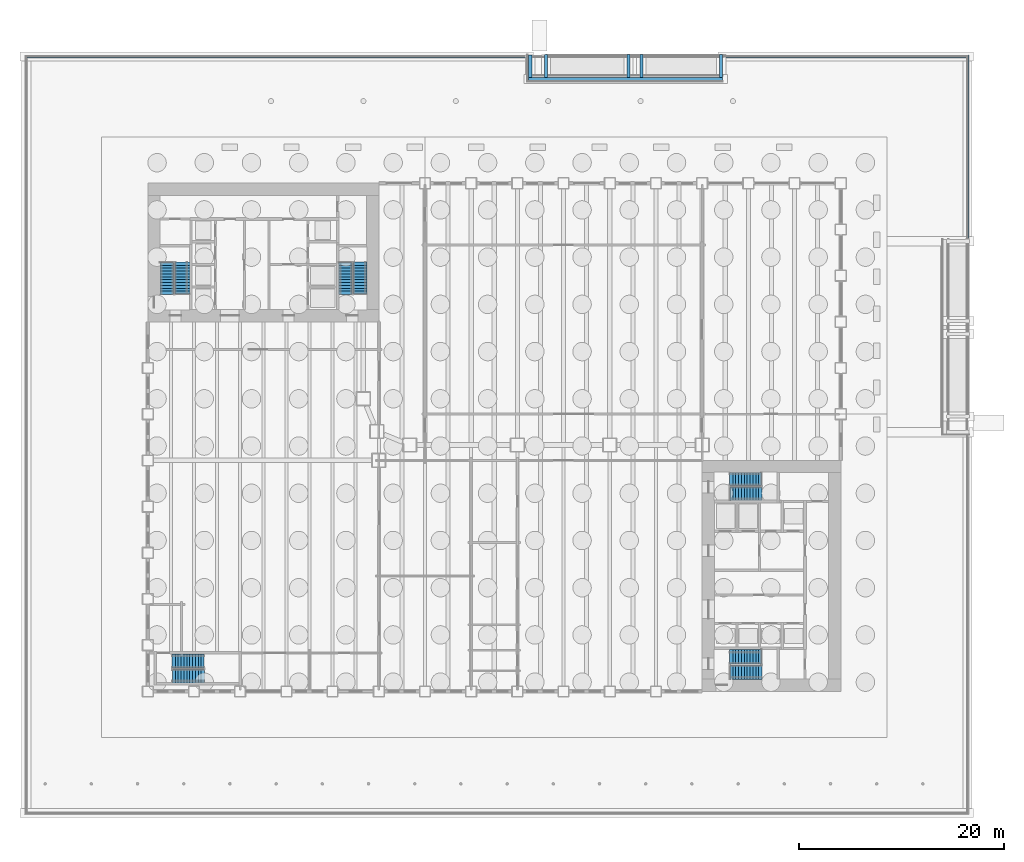
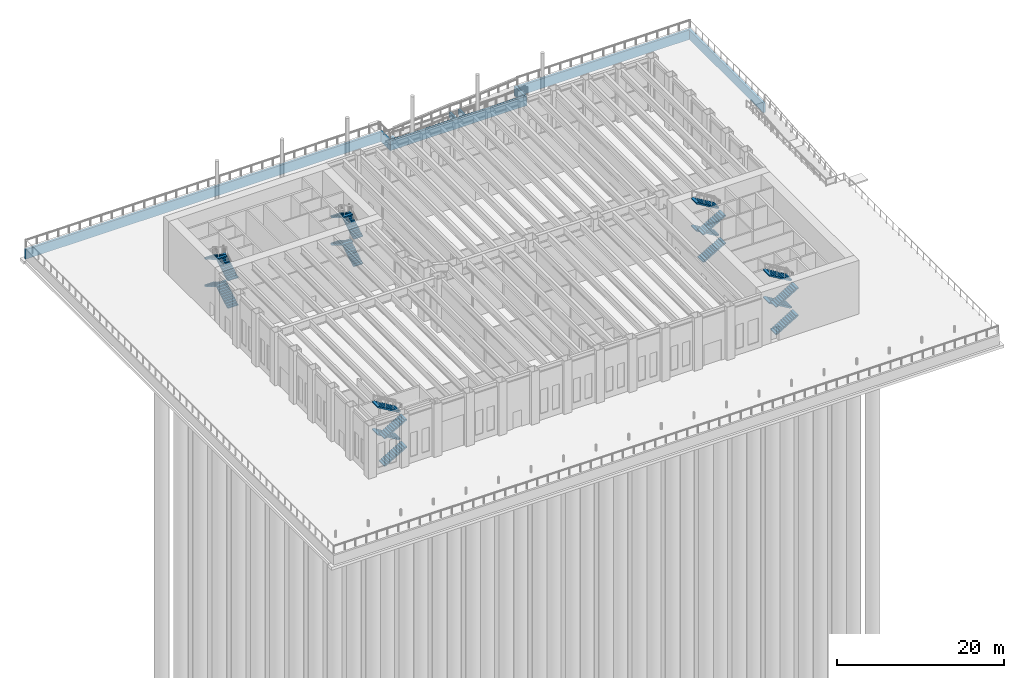
# One storey, part 15 of 26: 20 stair flights, 9 walls, 5 elements without a shape of their own.
"""IFC4 building model written with IfcOpenShell, lengths in metres."""

from ifc_helpers import new_model, si_unit, direction, frame, frame_2d, origin, place, context, subcontext, project, spatial, polyline, rectangle, outline, extrude, material, layer, layer_set, type_object, element, aggregate, save


model = new_model("IFC4")

# Units and contexts
model_context = context("Model", 3, precision=1e-05, world=origin(), true_north=direction((0.0, 1.0)))
body_context = subcontext(model_context, "Body", "Model", "MODEL_VIEW")
ifc_project = project(units=[si_unit("LENGTHUNIT", "METRE"), si_unit("AREAUNIT", "SQUARE_METRE"), si_unit("VOLUMEUNIT", "CUBIC_METRE"), si_unit("PLANEANGLEUNIT", "RADIAN"), si_unit("MASSUNIT", "GRAM", prefix="KILO")], contexts=[model_context])

# Site, building, storey
site_placement = place(None, origin())
site = spatial("IfcSite", under=ifc_project, at=site_placement, CompositionType="ELEMENT")
building_placement = place(site_placement, origin())
building = spatial("IfcBuilding", under=site, at=building_placement, Name="Sennacour Bend Tower", CompositionType="ELEMENT")
storey_placement = place(building_placement, origin())
storey = spatial("IfcBuildingStorey", under=building, at=storey_placement, Name="L00", CompositionType="ELEMENT", Elevation=0.0)

# Walls
ifc_material = material(Name="Concrete C40/50", Category="concrete")
ifc_layer = layer(ifc_material, 0.300048828125, Name="Concrete C40/50", Category="concrete")
ifc_layer_set = layer_set([ifc_layer], Name="Concrete C40/50")
wall_type = type_object("IfcWallType", Name="PLAZA RETAINING WALL 300", PredefinedType="STANDARD", material=ifc_layer_set)
wall_1_placement = place(storey_placement, frame((79.85009765625, 44.0, -1.60009765625), z_axis=(0.0, 0.0, 1.0), x_axis=(0.0, 1.0, 0.0)))
element("IfcWall", 1, at=wall_1_placement, inside=storey, type_object=wall_type, Name="Plaza retaining wall east", PredefinedType="STANDARD", context=body_context, shape_type="SweptSolid", body=[
    extrude(rectangle(XDim=18.0, YDim=0.300048828125, at=frame_2d((9.0, 0.0))), origin(), (0.0, 0.0, 1.0), 1.400146484375),
])
wall_2_placement = place(storey_placement, frame((-12.0, 61.85009765625, -1.60009765625), z_axis=(0.0, 0.0, 1.0), x_axis=(1.0, 0.0, 0.0)))
element("IfcWall", 2, at=wall_2_placement, inside=storey, type_object=wall_type, Name="Plaza retaining wall north", PredefinedType="STANDARD", context=body_context, shape_type="SweptSolid", body=[
    extrude(rectangle(XDim=49.10009765625, YDim=0.300048828125, at=frame_2d((24.550048828125, 0.0))), origin(), (0.0, 0.0, 1.0), 1.400146484375),
])
wall_3_placement = place(storey_placement, frame((56.0, 61.85009765625, -1.60009765625), z_axis=(0.0, 0.0, 1.0), x_axis=(1.0, 0.0, 0.0)))
element("IfcWall", 3, at=wall_3_placement, inside=storey, type_object=wall_type, Name="Plaza retaining wall north", PredefinedType="STANDARD", context=body_context, shape_type="SweptSolid", body=[
    extrude(rectangle(XDim=24.0, YDim=0.300048828125, at=frame_2d((12.0, 0.0))), origin(), (0.0, 0.0, 1.0), 1.400146484375),
])
wall_4_placement = place(storey_placement, frame((56.0, 59.64990234375, -1.60009765625), z_axis=(0.0, 0.0, 1.0), x_axis=(-1.0, 0.0, 0.0)))
element("IfcWall", 4, at=wall_4_placement, inside=storey, type_object=wall_type, Name="Plaza retaining wall North ramp", PredefinedType="STANDARD", context=body_context, shape_type="SweptSolid", body=[
    extrude(rectangle(XDim=18.89990234375, YDim=0.300048828125, at=frame_2d((9.449951171875, 0.0))), origin(), (0.0, 0.0, 1.0), 1.400146484375),
])
wall_5_placement = place(storey_placement, frame((37.25, 59.800048828125, -1.60009765625), z_axis=(0.0, 0.0, 1.0), x_axis=(0.0, 1.0, 0.0)))
element("IfcWall", 5, at=wall_5_placement, inside=storey, type_object=wall_type, Name="Plaza retaining wall North ramp foot", PredefinedType="STANDARD", context=body_context, shape_type="SweptSolid", body=[
    extrude(rectangle(XDim=2.199951171875, YDim=0.300048828125, at=frame_2d((1.10009765625, 0.0))), origin(), (0.0, 0.0, 1.0), 1.400146484375),
])
wall_6_placement = place(storey_placement, frame((55.85009765625, 59.800048828125, -1.60009765625), z_axis=(0.0, 0.0, 1.0), x_axis=(0.0, 1.0, 0.0)))
element("IfcWall", 6, at=wall_6_placement, inside=storey, type_object=wall_type, Name="Ramp bearing wall 1 North", PredefinedType="STANDARD", context=body_context, shape_type="SweptSolid", body=[
    extrude(rectangle(XDim=2.25, YDim=0.300048828125, at=frame_2d((1.125, 0.0))), origin(), (0.0, 0.0, 1.0), 1.400146484375),
])
for number, where, z_axis, x_axis, name in (
    (7, (48.074951171875, 59.800048828125, -1.60009765625), (0.0, 0.0, 1.0), (0.0, 1.0, 0.0), "Ramp bearing wall 2 North"),
    (8, (46.824951171875, 59.800048828125, -1.60009765625), (0.0, 0.0, 1.0), (0.0, 1.0, 0.0), "Ramp bearing wall 3 North"),
):
    element("IfcWall", number, at=place(storey_placement, frame(where, z_axis=z_axis, x_axis=x_axis)), inside=storey, type_object=wall_type, Name=name, PredefinedType="STANDARD", context=body_context, shape_type="SweptSolid", body=[
        extrude(rectangle(XDim=2.25, YDim=0.300048828125, at=frame_2d((1.125, 0.0))), origin(), (0.0, 0.0, 1.0), 0.75),
    ])
wall_7_placement = place(storey_placement, frame((38.77490234375, 59.800048828125, -1.89990234375), z_axis=(0.0, 0.0, 1.0), x_axis=(0.0, 1.0, 0.0)))
element("IfcWall", 9, at=wall_7_placement, inside=storey, type_object=wall_type, Name="Ramp bearing wall 4 North", PredefinedType="STANDARD", context=body_context, shape_type="SweptSolid", body=[
    extrude(rectangle(XDim=2.25, YDim=0.300048828125, at=frame_2d((1.125, 0.0))), origin(), (0.0, 0.0, 1.0), 0.39990234375),
])

# Stair, stair flights
stair_type = type_object("IfcStairType", Name="ST-DOGLEG", PredefinedType="HALF_TURN_STAIR", material=ifc_material)
stair_1_placement = place(storey_placement, origin())
stair_1 = element("IfcStair", 10, at=stair_1_placement, inside=storey, type_object=stair_type, Name="L00 Exit stair A1", PredefinedType="HALF_TURN_STAIR")
stair_flight_type = type_object("IfcStairFlightType", Name="SFL-RC", PredefinedType="STRAIGHT", material=ifc_material)
stair_flight_1_placement = place(storey_placement, frame((56.699951171875, 1.8349609375, 0.0), z_axis=(0.0, 0.0, 1.0), x_axis=(1.0, 0.0, 0.0)))
stair_flight_1 = element("IfcStairFlight", 11, at=stair_flight_1_placement, type_object=stair_flight_type, Name="SA1 flight 1", NumberOfRisers=12, NumberOfTreads=11, PredefinedType="STRAIGHT", RiserHeight=0.166666667, TreadLength=0.28, context=body_context, shape_type="SweptSolid", body=[
    extrude(outline(polyline([(0.0, 0.0), (0.0, 0.166748046875), (0.280029296875, 0.166748046875), (0.280029296875, 0.333251953125), (0.56005859375, 0.333251953125), (0.56005859375, 0.5), (0.840087890625, 0.5), (0.840087890625, 0.666748046875), (1.1201171875, 0.666748046875), (1.1201171875, 0.833251953125), (1.39990234375, 0.833251953125), (1.39990234375, 1.0), (1.679931640625, 1.0), (1.679931640625, 1.166748046875), (1.9599609375, 1.166748046875), (1.9599609375, 1.333251953125), (2.239990234375, 1.333251953125), (2.239990234375, 1.5), (2.52001953125, 1.5), (2.52001953125, 1.666748046875), (2.800048828125, 1.666748046875), (2.800048828125, 1.833251953125), (3.080078125, 1.833251953125), (3.139892578125, 1.833251953125), (3.139892578125, 1.658935546875), (3.080078125, 1.658935546875), (0.29296875, 0.0), (0.0, 0.0)])), frame((0.0, 0.6650390625, 0.0), z_axis=(0.0, -1.0, 0.0), x_axis=(1.0, 0.0, 0.0)), (0.0, 0.0, 1.0), 1.330078125),
])
stair_flight_2_placement = place(storey_placement, frame((59.780029296875, 3.37744140625, 2.0), z_axis=(0.0, 0.0, 1.0), x_axis=(-1.0, 0.0, 0.0)))
stair_flight_2 = element("IfcStairFlight", 12, at=stair_flight_2_placement, type_object=stair_flight_type, Name="SA1 flight 2", NumberOfRisers=12, NumberOfTreads=11, PredefinedType="STRAIGHT", RiserHeight=0.166666667, TreadLength=0.28, context=body_context, shape_type="SweptSolid", body=[
    extrude(outline(polyline([(0.0, 0.0), (0.0, 0.166748046875), (0.280029296875, 0.166748046875), (0.280029296875, 0.333251953125), (0.56005859375, 0.333251953125), (0.56005859375, 0.5), (0.840087890625, 0.5), (0.840087890625, 0.666748046875), (1.1201171875, 0.666748046875), (1.1201171875, 0.833251953125), (1.39990234375, 0.833251953125), (1.39990234375, 1.0), (1.679931640625, 1.0), (1.679931640625, 1.166748046875), (1.9599609375, 1.166748046875), (1.9599609375, 1.333251953125), (2.239990234375, 1.333251953125), (2.239990234375, 1.5), (2.52001953125, 1.5), (2.52001953125, 1.666748046875), (2.800048828125, 1.666748046875), (2.800048828125, 1.833251953125), (3.080078125, 1.833251953125), (3.139892578125, 1.833251953125), (3.139892578125, 1.658935546875), (3.080078125, 1.658935546875), (0.29296875, 0.0), (0.0, 0.0)])), frame((0.0, 0.7275390625, 0.0), z_axis=(0.0, -1.0, 0.0), x_axis=(1.0, 0.0, 0.0)), (0.0, 0.0, 1.0), 1.455078125),
])
stair_flight_3_placement = place(storey_placement, frame((56.699951171875, 1.8349609375, 4.0), z_axis=(0.0, 0.0, 1.0), x_axis=(1.0, 0.0, 0.0)))
stair_flight_3 = element("IfcStairFlight", 13, at=stair_flight_3_placement, type_object=stair_flight_type, Name="SA1 flight 3", NumberOfRisers=12, NumberOfTreads=11, PredefinedType="STRAIGHT", RiserHeight=0.166666667, TreadLength=0.28, context=body_context, shape_type="SweptSolid", body=[
    extrude(outline(polyline([(0.0, 0.0), (0.0, 0.166748046875), (0.280029296875, 0.166748046875), (0.280029296875, 0.333251953125), (0.56005859375, 0.333251953125), (0.56005859375, 0.5), (0.840087890625, 0.5), (0.840087890625, 0.666748046875), (1.1201171875, 0.666748046875), (1.1201171875, 0.833251953125), (1.39990234375, 0.833251953125), (1.39990234375, 1.0), (1.679931640625, 1.0), (1.679931640625, 1.166748046875), (1.9599609375, 1.166748046875), (1.9599609375, 1.333251953125), (2.239990234375, 1.333251953125), (2.239990234375, 1.5), (2.52001953125, 1.5), (2.52001953125, 1.666748046875), (2.800048828125, 1.666748046875), (2.800048828125, 1.833251953125), (3.080078125, 1.833251953125), (3.139892578125, 1.833251953125), (3.139892578125, 1.658935546875), (3.080078125, 1.658935546875), (0.29296875, 0.0), (0.0, 0.0)])), frame((0.0, 0.6650390625, 0.0), z_axis=(0.0, -1.0, 0.0), x_axis=(1.0, 0.0, 0.0)), (0.0, 0.0, 1.0), 1.330078125),
])
stair_flight_4_placement = place(storey_placement, frame((59.780029296875, 3.37744140625, 6.0), z_axis=(0.0, 0.0, 1.0), x_axis=(-1.0, 0.0, 0.0)))
stair_flight_4 = element("IfcStairFlight", 14, at=stair_flight_4_placement, type_object=stair_flight_type, Name="SA1 flight 4", NumberOfRisers=12, NumberOfTreads=11, PredefinedType="STRAIGHT", RiserHeight=0.166666667, TreadLength=0.28, context=body_context, shape_type="SweptSolid", body=[
    extrude(outline(polyline([(0.0, 0.0), (0.0, 0.166748046875), (0.280029296875, 0.166748046875), (0.280029296875, 0.333251953125), (0.56005859375, 0.333251953125), (0.56005859375, 0.5), (0.840087890625, 0.5), (0.840087890625, 0.666748046875), (1.1201171875, 0.666748046875), (1.1201171875, 0.833251953125), (1.39990234375, 0.833251953125), (1.39990234375, 1.0), (1.679931640625, 1.0), (1.679931640625, 1.166748046875), (1.9599609375, 1.166748046875), (1.9599609375, 1.333251953125), (2.239990234375, 1.333251953125), (2.239990234375, 1.5), (2.52001953125, 1.5), (2.52001953125, 1.666748046875), (2.800048828125, 1.666748046875), (2.800048828125, 1.833251953125), (3.080078125, 1.833251953125), (3.139892578125, 1.833251953125), (3.139892578125, 1.658935546875), (3.080078125, 1.658935546875), (0.29296875, 0.0), (0.0, 0.0)])), frame((0.0, 0.7275390625, 0.0), z_axis=(0.0, -1.0, 0.0), x_axis=(1.0, 0.0, 0.0)), (0.0, 0.0, 1.0), 1.455078125),
])
aggregate(stair_1, [stair_flight_1, stair_flight_2, stair_flight_3, stair_flight_4])

stair_2_placement = place(storey_placement, origin())
stair_2 = element("IfcStair", 15, at=stair_2_placement, inside=storey, type_object=stair_type, Name="L00 Exit stair A2", PredefinedType="HALF_TURN_STAIR")
stair_flight_5_placement = place(storey_placement, frame((56.699951171875, 19.24755859375, 0.0), z_axis=(0.0, 0.0, 1.0), x_axis=(1.0, 0.0, 0.0)))
stair_flight_5 = element("IfcStairFlight", 16, at=stair_flight_5_placement, type_object=stair_flight_type, Name="SA2 flight 1", NumberOfRisers=12, NumberOfTreads=11, PredefinedType="STRAIGHT", RiserHeight=0.166666667, TreadLength=0.28, context=body_context, shape_type="SweptSolid", body=[
    extrude(outline(polyline([(0.0, 0.0), (0.0, 0.166748046875), (0.280029296875, 0.166748046875), (0.280029296875, 0.333251953125), (0.56005859375, 0.333251953125), (0.56005859375, 0.5), (0.840087890625, 0.5), (0.840087890625, 0.666748046875), (1.1201171875, 0.666748046875), (1.1201171875, 0.833251953125), (1.39990234375, 0.833251953125), (1.39990234375, 1.0), (1.679931640625, 1.0), (1.679931640625, 1.166748046875), (1.9599609375, 1.166748046875), (1.9599609375, 1.333251953125), (2.239990234375, 1.333251953125), (2.239990234375, 1.5), (2.52001953125, 1.5), (2.52001953125, 1.666748046875), (2.800048828125, 1.666748046875), (2.800048828125, 1.833251953125), (3.080078125, 1.833251953125), (3.139892578125, 1.833251953125), (3.139892578125, 1.658935546875), (3.080078125, 1.658935546875), (0.29296875, 0.0), (0.0, 0.0)])), frame((0.0, 0.65234375, 0.0), z_axis=(0.0, -1.0, 0.0), x_axis=(1.0, 0.0, 0.0)), (0.0, 0.0, 1.0), 1.304931640625),
])
stair_flight_6_placement = place(storey_placement, frame((59.780029296875, 20.68994140625, 2.0), z_axis=(0.0, 0.0, 1.0), x_axis=(-1.0, 0.0, 0.0)))
stair_flight_6 = element("IfcStairFlight", 17, at=stair_flight_6_placement, type_object=stair_flight_type, Name="SA2 flight 2", NumberOfRisers=12, NumberOfTreads=11, PredefinedType="STRAIGHT", RiserHeight=0.166666667, TreadLength=0.28, context=body_context, shape_type="SweptSolid", body=[
    extrude(outline(polyline([(0.0, 0.0), (0.0, 0.166748046875), (0.280029296875, 0.166748046875), (0.280029296875, 0.333251953125), (0.56005859375, 0.333251953125), (0.56005859375, 0.5), (0.840087890625, 0.5), (0.840087890625, 0.666748046875), (1.1201171875, 0.666748046875), (1.1201171875, 0.833251953125), (1.39990234375, 0.833251953125), (1.39990234375, 1.0), (1.679931640625, 1.0), (1.679931640625, 1.166748046875), (1.9599609375, 1.166748046875), (1.9599609375, 1.333251953125), (2.239990234375, 1.333251953125), (2.239990234375, 1.5), (2.52001953125, 1.5), (2.52001953125, 1.666748046875), (2.800048828125, 1.666748046875), (2.800048828125, 1.833251953125), (3.080078125, 1.833251953125), (3.139892578125, 1.833251953125), (3.139892578125, 1.658935546875), (3.080078125, 1.658935546875), (0.29296875, 0.0), (0.0, 0.0)])), frame((0.0, 0.64013671875, 0.0), z_axis=(0.0, -1.0, 0.0), x_axis=(1.0, 0.0, 0.0)), (0.0, 0.0, 1.0), 1.280029296875),
])
stair_flight_7_placement = place(storey_placement, frame((56.699951171875, 19.24755859375, 4.0), z_axis=(0.0, 0.0, 1.0), x_axis=(1.0, 0.0, 0.0)))
stair_flight_7 = element("IfcStairFlight", 18, at=stair_flight_7_placement, type_object=stair_flight_type, Name="SA2 flight 3", NumberOfRisers=12, NumberOfTreads=11, PredefinedType="STRAIGHT", RiserHeight=0.166666667, TreadLength=0.28, context=body_context, shape_type="SweptSolid", body=[
    extrude(outline(polyline([(0.0, 0.0), (0.0, 0.166748046875), (0.280029296875, 0.166748046875), (0.280029296875, 0.333251953125), (0.56005859375, 0.333251953125), (0.56005859375, 0.5), (0.840087890625, 0.5), (0.840087890625, 0.666748046875), (1.1201171875, 0.666748046875), (1.1201171875, 0.833251953125), (1.39990234375, 0.833251953125), (1.39990234375, 1.0), (1.679931640625, 1.0), (1.679931640625, 1.166748046875), (1.9599609375, 1.166748046875), (1.9599609375, 1.333251953125), (2.239990234375, 1.333251953125), (2.239990234375, 1.5), (2.52001953125, 1.5), (2.52001953125, 1.666748046875), (2.800048828125, 1.666748046875), (2.800048828125, 1.833251953125), (3.080078125, 1.833251953125), (3.139892578125, 1.833251953125), (3.139892578125, 1.658935546875), (3.080078125, 1.658935546875), (0.29296875, 0.0), (0.0, 0.0)])), frame((0.0, 0.65234375, 0.0), z_axis=(0.0, -1.0, 0.0), x_axis=(1.0, 0.0, 0.0)), (0.0, 0.0, 1.0), 1.304931640625),
])
stair_flight_8_placement = place(storey_placement, frame((59.780029296875, 20.68994140625, 6.0), z_axis=(0.0, 0.0, 1.0), x_axis=(-1.0, 0.0, 0.0)))
stair_flight_8 = element("IfcStairFlight", 19, at=stair_flight_8_placement, type_object=stair_flight_type, Name="SA2 flight 4", NumberOfRisers=12, NumberOfTreads=11, PredefinedType="STRAIGHT", RiserHeight=0.166666667, TreadLength=0.28, context=body_context, shape_type="SweptSolid", body=[
    extrude(outline(polyline([(0.0, 0.0), (0.0, 0.166748046875), (0.280029296875, 0.166748046875), (0.280029296875, 0.333251953125), (0.56005859375, 0.333251953125), (0.56005859375, 0.5), (0.840087890625, 0.5), (0.840087890625, 0.666748046875), (1.1201171875, 0.666748046875), (1.1201171875, 0.833251953125), (1.39990234375, 0.833251953125), (1.39990234375, 1.0), (1.679931640625, 1.0), (1.679931640625, 1.166748046875), (1.9599609375, 1.166748046875), (1.9599609375, 1.333251953125), (2.239990234375, 1.333251953125), (2.239990234375, 1.5), (2.52001953125, 1.5), (2.52001953125, 1.666748046875), (2.800048828125, 1.666748046875), (2.800048828125, 1.833251953125), (3.080078125, 1.833251953125), (3.139892578125, 1.833251953125), (3.139892578125, 1.658935546875), (3.080078125, 1.658935546875), (0.29296875, 0.0), (0.0, 0.0)])), frame((0.0, 0.64013671875, 0.0), z_axis=(0.0, -1.0, 0.0), x_axis=(1.0, 0.0, 0.0)), (0.0, 0.0, 1.0), 1.280029296875),
])
aggregate(stair_2, [stair_flight_5, stair_flight_6, stair_flight_7, stair_flight_8])

stair_3_placement = place(storey_placement, origin())
stair_3 = element("IfcStair", 20, at=stair_3_placement, inside=storey, type_object=stair_type, Name="L00 Exit stair B1", PredefinedType="HALF_TURN_STAIR")
stair_flight_9_placement = place(storey_placement, frame((3.37744140625, 38.699951171875, 0.0), z_axis=(0.0, 0.0, 1.0), x_axis=(0.0, 1.0, 0.0)))
stair_flight_9 = element("IfcStairFlight", 21, at=stair_flight_9_placement, type_object=stair_flight_type, Name="SB1 flight 1", NumberOfRisers=12, NumberOfTreads=11, PredefinedType="STRAIGHT", RiserHeight=0.166666667, TreadLength=0.28, context=body_context, shape_type="SweptSolid", body=[
    extrude(outline(polyline([(0.0, 0.0), (0.0, 0.166748046875), (0.280029296875, 0.166748046875), (0.280029296875, 0.333251953125), (0.56005859375, 0.333251953125), (0.56005859375, 0.5), (0.840087890625, 0.5), (0.840087890625, 0.666748046875), (1.1201171875, 0.666748046875), (1.1201171875, 0.833251953125), (1.39990234375, 0.833251953125), (1.39990234375, 1.0), (1.679931640625, 1.0), (1.679931640625, 1.166748046875), (1.9599609375, 1.166748046875), (1.9599609375, 1.333251953125), (2.239990234375, 1.333251953125), (2.239990234375, 1.5), (2.52001953125, 1.5), (2.52001953125, 1.666748046875), (2.800048828125, 1.666748046875), (2.800048828125, 1.833251953125), (3.080078125, 1.833251953125), (3.139892578125, 1.833251953125), (3.139892578125, 1.658935546875), (3.080078125, 1.658935546875), (0.29296875, 0.0), (0.0, 0.0)])), frame((0.0, 0.7275390625, 0.0), z_axis=(0.0, -1.0, 0.0), x_axis=(1.0, 0.0, 0.0)), (0.0, 0.0, 1.0), 1.455078125),
])
stair_flight_10_placement = place(storey_placement, frame((1.8349609375, 41.780029296875, 2.0), z_axis=(0.0, 0.0, 1.0), x_axis=(0.0, -1.0, 0.0)))
stair_flight_10 = element("IfcStairFlight", 22, at=stair_flight_10_placement, type_object=stair_flight_type, Name="SB1 flight 2", NumberOfRisers=12, NumberOfTreads=11, PredefinedType="STRAIGHT", RiserHeight=0.166666667, TreadLength=0.28, context=body_context, shape_type="SweptSolid", body=[
    extrude(outline(polyline([(0.0, 0.0), (0.0, 0.166748046875), (0.280029296875, 0.166748046875), (0.280029296875, 0.333251953125), (0.56005859375, 0.333251953125), (0.56005859375, 0.5), (0.840087890625, 0.5), (0.840087890625, 0.666748046875), (1.1201171875, 0.666748046875), (1.1201171875, 0.833251953125), (1.39990234375, 0.833251953125), (1.39990234375, 1.0), (1.679931640625, 1.0), (1.679931640625, 1.166748046875), (1.9599609375, 1.166748046875), (1.9599609375, 1.333251953125), (2.239990234375, 1.333251953125), (2.239990234375, 1.5), (2.52001953125, 1.5), (2.52001953125, 1.666748046875), (2.800048828125, 1.666748046875), (2.800048828125, 1.833251953125), (3.080078125, 1.833251953125), (3.139892578125, 1.833251953125), (3.139892578125, 1.658935546875), (3.080078125, 1.658935546875), (0.29296875, 0.0), (0.0, 0.0)])), frame((0.0, 0.6650390625, 0.0), z_axis=(0.0, -1.0, 0.0), x_axis=(1.0, 0.0, 0.0)), (0.0, 0.0, 1.0), 1.330078125),
])
stair_flight_11_placement = place(storey_placement, frame((3.37744140625, 38.699951171875, 4.0), z_axis=(0.0, 0.0, 1.0), x_axis=(0.0, 1.0, 0.0)))
stair_flight_11 = element("IfcStairFlight", 23, at=stair_flight_11_placement, type_object=stair_flight_type, Name="SB1 flight 3", NumberOfRisers=12, NumberOfTreads=11, PredefinedType="STRAIGHT", RiserHeight=0.166666667, TreadLength=0.28, context=body_context, shape_type="SweptSolid", body=[
    extrude(outline(polyline([(0.0, 0.0), (0.0, 0.166748046875), (0.280029296875, 0.166748046875), (0.280029296875, 0.333251953125), (0.56005859375, 0.333251953125), (0.56005859375, 0.5), (0.840087890625, 0.5), (0.840087890625, 0.666748046875), (1.1201171875, 0.666748046875), (1.1201171875, 0.833251953125), (1.39990234375, 0.833251953125), (1.39990234375, 1.0), (1.679931640625, 1.0), (1.679931640625, 1.166748046875), (1.9599609375, 1.166748046875), (1.9599609375, 1.333251953125), (2.239990234375, 1.333251953125), (2.239990234375, 1.5), (2.52001953125, 1.5), (2.52001953125, 1.666748046875), (2.800048828125, 1.666748046875), (2.800048828125, 1.833251953125), (3.080078125, 1.833251953125), (3.139892578125, 1.833251953125), (3.139892578125, 1.658935546875), (3.080078125, 1.658935546875), (0.29296875, 0.0), (0.0, 0.0)])), frame((0.0, 0.7275390625, 0.0), z_axis=(0.0, -1.0, 0.0), x_axis=(1.0, 0.0, 0.0)), (0.0, 0.0, 1.0), 1.455078125),
])
stair_flight_12_placement = place(storey_placement, frame((1.8349609375, 41.780029296875, 6.0), z_axis=(0.0, 0.0, 1.0), x_axis=(0.0, -1.0, 0.0)))
stair_flight_12 = element("IfcStairFlight", 24, at=stair_flight_12_placement, type_object=stair_flight_type, Name="SB1 flight 4", NumberOfRisers=12, NumberOfTreads=11, PredefinedType="STRAIGHT", RiserHeight=0.166666667, TreadLength=0.28, context=body_context, shape_type="SweptSolid", body=[
    extrude(outline(polyline([(0.0, 0.0), (0.0, 0.166748046875), (0.280029296875, 0.166748046875), (0.280029296875, 0.333251953125), (0.56005859375, 0.333251953125), (0.56005859375, 0.5), (0.840087890625, 0.5), (0.840087890625, 0.666748046875), (1.1201171875, 0.666748046875), (1.1201171875, 0.833251953125), (1.39990234375, 0.833251953125), (1.39990234375, 1.0), (1.679931640625, 1.0), (1.679931640625, 1.166748046875), (1.9599609375, 1.166748046875), (1.9599609375, 1.333251953125), (2.239990234375, 1.333251953125), (2.239990234375, 1.5), (2.52001953125, 1.5), (2.52001953125, 1.666748046875), (2.800048828125, 1.666748046875), (2.800048828125, 1.833251953125), (3.080078125, 1.833251953125), (3.139892578125, 1.833251953125), (3.139892578125, 1.658935546875), (3.080078125, 1.658935546875), (0.29296875, 0.0), (0.0, 0.0)])), frame((0.0, 0.6650390625, 0.0), z_axis=(0.0, -1.0, 0.0), x_axis=(1.0, 0.0, 0.0)), (0.0, 0.0, 1.0), 1.330078125),
])
aggregate(stair_3, [stair_flight_9, stair_flight_10, stair_flight_11, stair_flight_12])

stair_4_placement = place(storey_placement, origin())
stair_4 = element("IfcStair", 25, at=stair_4_placement, inside=storey, type_object=stair_type, Name="L00 Exit stair B2", PredefinedType="HALF_TURN_STAIR")
stair_flight_13_placement = place(storey_placement, frame((20.68994140625, 38.699951171875, 0.0), z_axis=(0.0, 0.0, 1.0), x_axis=(0.0, 1.0, 0.0)))
stair_flight_13 = element("IfcStairFlight", 26, at=stair_flight_13_placement, type_object=stair_flight_type, Name="SB2 flight 1", NumberOfRisers=12, NumberOfTreads=11, PredefinedType="STRAIGHT", RiserHeight=0.166666667, TreadLength=0.28, context=body_context, shape_type="SweptSolid", body=[
    extrude(outline(polyline([(0.0, 0.0), (0.0, 0.166748046875), (0.280029296875, 0.166748046875), (0.280029296875, 0.333251953125), (0.56005859375, 0.333251953125), (0.56005859375, 0.5), (0.840087890625, 0.5), (0.840087890625, 0.666748046875), (1.1201171875, 0.666748046875), (1.1201171875, 0.833251953125), (1.39990234375, 0.833251953125), (1.39990234375, 1.0), (1.679931640625, 1.0), (1.679931640625, 1.166748046875), (1.9599609375, 1.166748046875), (1.9599609375, 1.333251953125), (2.239990234375, 1.333251953125), (2.239990234375, 1.5), (2.52001953125, 1.5), (2.52001953125, 1.666748046875), (2.800048828125, 1.666748046875), (2.800048828125, 1.833251953125), (3.080078125, 1.833251953125), (3.139892578125, 1.833251953125), (3.139892578125, 1.658935546875), (3.080078125, 1.658935546875), (0.29296875, 0.0), (0.0, 0.0)])), frame((0.0, 0.64013671875, 0.0), z_axis=(0.0, -1.0, 0.0), x_axis=(1.0, 0.0, 0.0)), (0.0, 0.0, 1.0), 1.280029296875),
])
stair_flight_14_placement = place(storey_placement, frame((19.24755859375, 41.780029296875, 2.0), z_axis=(0.0, 0.0, 1.0), x_axis=(0.0, -1.0, 0.0)))
stair_flight_14 = element("IfcStairFlight", 27, at=stair_flight_14_placement, type_object=stair_flight_type, Name="SB2 flight 2", NumberOfRisers=12, NumberOfTreads=11, PredefinedType="STRAIGHT", RiserHeight=0.166666667, TreadLength=0.28, context=body_context, shape_type="SweptSolid", body=[
    extrude(outline(polyline([(0.0, 0.0), (0.0, 0.166748046875), (0.280029296875, 0.166748046875), (0.280029296875, 0.333251953125), (0.56005859375, 0.333251953125), (0.56005859375, 0.5), (0.840087890625, 0.5), (0.840087890625, 0.666748046875), (1.1201171875, 0.666748046875), (1.1201171875, 0.833251953125), (1.39990234375, 0.833251953125), (1.39990234375, 1.0), (1.679931640625, 1.0), (1.679931640625, 1.166748046875), (1.9599609375, 1.166748046875), (1.9599609375, 1.333251953125), (2.239990234375, 1.333251953125), (2.239990234375, 1.5), (2.52001953125, 1.5), (2.52001953125, 1.666748046875), (2.800048828125, 1.666748046875), (2.800048828125, 1.833251953125), (3.080078125, 1.833251953125), (3.139892578125, 1.833251953125), (3.139892578125, 1.658935546875), (3.080078125, 1.658935546875), (0.29296875, 0.0), (0.0, 0.0)])), frame((0.0, 0.65234375, 0.0), z_axis=(0.0, -1.0, 0.0), x_axis=(1.0, 0.0, 0.0)), (0.0, 0.0, 1.0), 1.304931640625),
])
stair_flight_15_placement = place(storey_placement, frame((20.68994140625, 38.699951171875, 4.0), z_axis=(0.0, 0.0, 1.0), x_axis=(0.0, 1.0, 0.0)))
stair_flight_15 = element("IfcStairFlight", 28, at=stair_flight_15_placement, type_object=stair_flight_type, Name="SB2 flight 3", NumberOfRisers=12, NumberOfTreads=11, PredefinedType="STRAIGHT", RiserHeight=0.166666667, TreadLength=0.28, context=body_context, shape_type="SweptSolid", body=[
    extrude(outline(polyline([(0.0, 0.0), (0.0, 0.166748046875), (0.280029296875, 0.166748046875), (0.280029296875, 0.333251953125), (0.56005859375, 0.333251953125), (0.56005859375, 0.5), (0.840087890625, 0.5), (0.840087890625, 0.666748046875), (1.1201171875, 0.666748046875), (1.1201171875, 0.833251953125), (1.39990234375, 0.833251953125), (1.39990234375, 1.0), (1.679931640625, 1.0), (1.679931640625, 1.166748046875), (1.9599609375, 1.166748046875), (1.9599609375, 1.333251953125), (2.239990234375, 1.333251953125), (2.239990234375, 1.5), (2.52001953125, 1.5), (2.52001953125, 1.666748046875), (2.800048828125, 1.666748046875), (2.800048828125, 1.833251953125), (3.080078125, 1.833251953125), (3.139892578125, 1.833251953125), (3.139892578125, 1.658935546875), (3.080078125, 1.658935546875), (0.29296875, 0.0), (0.0, 0.0)])), frame((0.0, 0.64013671875, 0.0), z_axis=(0.0, -1.0, 0.0), x_axis=(1.0, 0.0, 0.0)), (0.0, 0.0, 1.0), 1.280029296875),
])
stair_flight_16_placement = place(storey_placement, frame((19.24755859375, 41.780029296875, 6.0), z_axis=(0.0, 0.0, 1.0), x_axis=(0.0, -1.0, 0.0)))
stair_flight_16 = element("IfcStairFlight", 29, at=stair_flight_16_placement, type_object=stair_flight_type, Name="SB2 flight 4", NumberOfRisers=12, NumberOfTreads=11, PredefinedType="STRAIGHT", RiserHeight=0.166666667, TreadLength=0.28, context=body_context, shape_type="SweptSolid", body=[
    extrude(outline(polyline([(0.0, 0.0), (0.0, 0.166748046875), (0.280029296875, 0.166748046875), (0.280029296875, 0.333251953125), (0.56005859375, 0.333251953125), (0.56005859375, 0.5), (0.840087890625, 0.5), (0.840087890625, 0.666748046875), (1.1201171875, 0.666748046875), (1.1201171875, 0.833251953125), (1.39990234375, 0.833251953125), (1.39990234375, 1.0), (1.679931640625, 1.0), (1.679931640625, 1.166748046875), (1.9599609375, 1.166748046875), (1.9599609375, 1.333251953125), (2.239990234375, 1.333251953125), (2.239990234375, 1.5), (2.52001953125, 1.5), (2.52001953125, 1.666748046875), (2.800048828125, 1.666748046875), (2.800048828125, 1.833251953125), (3.080078125, 1.833251953125), (3.139892578125, 1.833251953125), (3.139892578125, 1.658935546875), (3.080078125, 1.658935546875), (0.29296875, 0.0), (0.0, 0.0)])), frame((0.0, 0.65234375, 0.0), z_axis=(0.0, -1.0, 0.0), x_axis=(1.0, 0.0, 0.0)), (0.0, 0.0, 1.0), 1.304931640625),
])
aggregate(stair_4, [stair_flight_13, stair_flight_14, stair_flight_15, stair_flight_16])

stair_5_placement = place(storey_placement, origin())
stair_5 = element("IfcStair", 30, at=stair_5_placement, inside=storey, type_object=stair_type, Name="L00 Exit stair K1", PredefinedType="HALF_TURN_STAIR")
stair_flight_17_placement = place(storey_placement, frame((2.39990234375, 1.485107421875, 0.0), z_axis=(0.0, 0.0, 1.0), x_axis=(1.0, 0.0, 0.0)))
stair_flight_17 = element("IfcStairFlight", 31, at=stair_flight_17_placement, type_object=stair_flight_type, Name="SK1 flight 1", NumberOfRisers=12, NumberOfTreads=11, PredefinedType="STRAIGHT", RiserHeight=0.166666667, TreadLength=0.28, context=body_context, shape_type="SweptSolid", body=[
    extrude(outline(polyline([(0.0, 0.0), (0.0, 0.166748046875), (0.280029296875, 0.166748046875), (0.280029296875, 0.333251953125), (0.56005859375, 0.333251953125), (0.56005859375, 0.5), (0.840087890625, 0.5), (0.840087890625, 0.666748046875), (1.1201171875, 0.666748046875), (1.1201171875, 0.833251953125), (1.39990234375, 0.833251953125), (1.39990234375, 1.0), (1.679931640625, 1.0), (1.679931640625, 1.166748046875), (1.9599609375, 1.166748046875), (1.9599609375, 1.333251953125), (2.239990234375, 1.333251953125), (2.239990234375, 1.5), (2.52001953125, 1.5), (2.52001953125, 1.666748046875), (2.800048828125, 1.666748046875), (2.800048828125, 1.833251953125), (3.080078125, 1.833251953125), (3.139892578125, 1.833251953125), (3.139892578125, 1.658935546875), (3.080078125, 1.658935546875), (0.29296875, 0.0), (0.0, 0.0)])), frame((0.0, 0.6650390625, 0.0), z_axis=(0.0, -1.0, 0.0), x_axis=(1.0, 0.0, 0.0)), (0.0, 0.0, 1.0), 1.330078125),
])
stair_flight_18_placement = place(storey_placement, frame((5.47998046875, 2.9775390625, 2.0), z_axis=(0.0, 0.0, 1.0), x_axis=(-1.0, 0.0, 0.0)))
stair_flight_18 = element("IfcStairFlight", 32, at=stair_flight_18_placement, type_object=stair_flight_type, Name="SK1 flight 2", NumberOfRisers=12, NumberOfTreads=11, PredefinedType="STRAIGHT", RiserHeight=0.166666667, TreadLength=0.28, context=body_context, shape_type="SweptSolid", body=[
    extrude(outline(polyline([(0.0, 0.0), (0.0, 0.166748046875), (0.280029296875, 0.166748046875), (0.280029296875, 0.333251953125), (0.56005859375, 0.333251953125), (0.56005859375, 0.5), (0.840087890625, 0.5), (0.840087890625, 0.666748046875), (1.1201171875, 0.666748046875), (1.1201171875, 0.833251953125), (1.39990234375, 0.833251953125), (1.39990234375, 1.0), (1.679931640625, 1.0), (1.679931640625, 1.166748046875), (1.9599609375, 1.166748046875), (1.9599609375, 1.333251953125), (2.239990234375, 1.333251953125), (2.239990234375, 1.5), (2.52001953125, 1.5), (2.52001953125, 1.666748046875), (2.800048828125, 1.666748046875), (2.800048828125, 1.833251953125), (3.080078125, 1.833251953125), (3.139892578125, 1.833251953125), (3.139892578125, 1.658935546875), (3.080078125, 1.658935546875), (0.29296875, 0.0), (0.0, 0.0)])), frame((0.0, 0.677490234375, 0.0), z_axis=(0.0, -1.0, 0.0), x_axis=(1.0, 0.0, 0.0)), (0.0, 0.0, 1.0), 1.35498046875),
])
stair_flight_19_placement = place(storey_placement, frame((2.39990234375, 1.485107421875, 4.0), z_axis=(0.0, 0.0, 1.0), x_axis=(1.0, 0.0, 0.0)))
stair_flight_19 = element("IfcStairFlight", 33, at=stair_flight_19_placement, type_object=stair_flight_type, Name="SK1 flight 3", NumberOfRisers=12, NumberOfTreads=11, PredefinedType="STRAIGHT", RiserHeight=0.166666667, TreadLength=0.28, context=body_context, shape_type="SweptSolid", body=[
    extrude(outline(polyline([(0.0, 0.0), (0.0, 0.166748046875), (0.280029296875, 0.166748046875), (0.280029296875, 0.333251953125), (0.56005859375, 0.333251953125), (0.56005859375, 0.5), (0.840087890625, 0.5), (0.840087890625, 0.666748046875), (1.1201171875, 0.666748046875), (1.1201171875, 0.833251953125), (1.39990234375, 0.833251953125), (1.39990234375, 1.0), (1.679931640625, 1.0), (1.679931640625, 1.166748046875), (1.9599609375, 1.166748046875), (1.9599609375, 1.333251953125), (2.239990234375, 1.333251953125), (2.239990234375, 1.5), (2.52001953125, 1.5), (2.52001953125, 1.666748046875), (2.800048828125, 1.666748046875), (2.800048828125, 1.833251953125), (3.080078125, 1.833251953125), (3.139892578125, 1.833251953125), (3.139892578125, 1.658935546875), (3.080078125, 1.658935546875), (0.29296875, 0.0), (0.0, 0.0)])), frame((0.0, 0.6650390625, 0.0), z_axis=(0.0, -1.0, 0.0), x_axis=(1.0, 0.0, 0.0)), (0.0, 0.0, 1.0), 1.330078125),
])
stair_flight_20_placement = place(storey_placement, frame((5.47998046875, 2.9775390625, 6.0), z_axis=(0.0, 0.0, 1.0), x_axis=(-1.0, 0.0, 0.0)))
stair_flight_20 = element("IfcStairFlight", 34, at=stair_flight_20_placement, type_object=stair_flight_type, Name="SK1 flight 4", NumberOfRisers=12, NumberOfTreads=11, PredefinedType="STRAIGHT", RiserHeight=0.166666667, TreadLength=0.28, context=body_context, shape_type="SweptSolid", body=[
    extrude(outline(polyline([(0.0, 0.0), (0.0, 0.166748046875), (0.280029296875, 0.166748046875), (0.280029296875, 0.333251953125), (0.56005859375, 0.333251953125), (0.56005859375, 0.5), (0.840087890625, 0.5), (0.840087890625, 0.666748046875), (1.1201171875, 0.666748046875), (1.1201171875, 0.833251953125), (1.39990234375, 0.833251953125), (1.39990234375, 1.0), (1.679931640625, 1.0), (1.679931640625, 1.166748046875), (1.9599609375, 1.166748046875), (1.9599609375, 1.333251953125), (2.239990234375, 1.333251953125), (2.239990234375, 1.5), (2.52001953125, 1.5), (2.52001953125, 1.666748046875), (2.800048828125, 1.666748046875), (2.800048828125, 1.833251953125), (3.080078125, 1.833251953125), (3.139892578125, 1.833251953125), (3.139892578125, 1.658935546875), (3.080078125, 1.658935546875), (0.29296875, 0.0), (0.0, 0.0)])), frame((0.0, 0.677490234375, 0.0), z_axis=(0.0, -1.0, 0.0), x_axis=(1.0, 0.0, 0.0)), (0.0, 0.0, 1.0), 1.35498046875),
])
aggregate(stair_5, [stair_flight_17, stair_flight_18, stair_flight_19, stair_flight_20])

save(model, "model.ifc")
